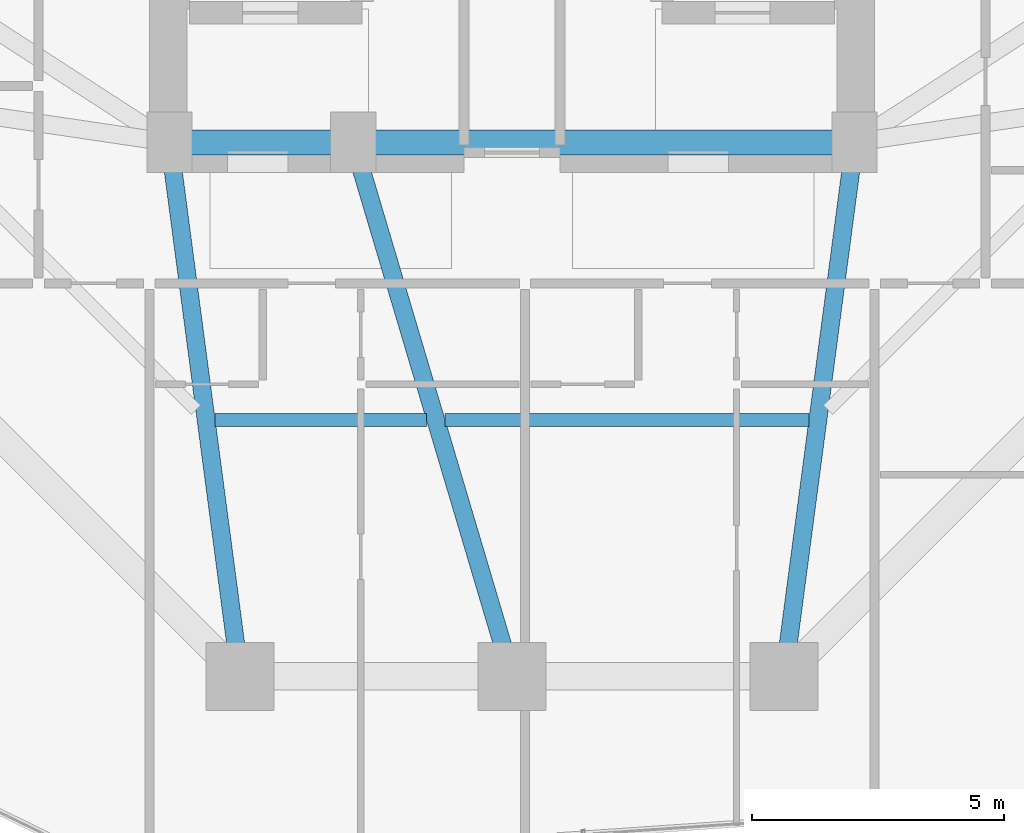
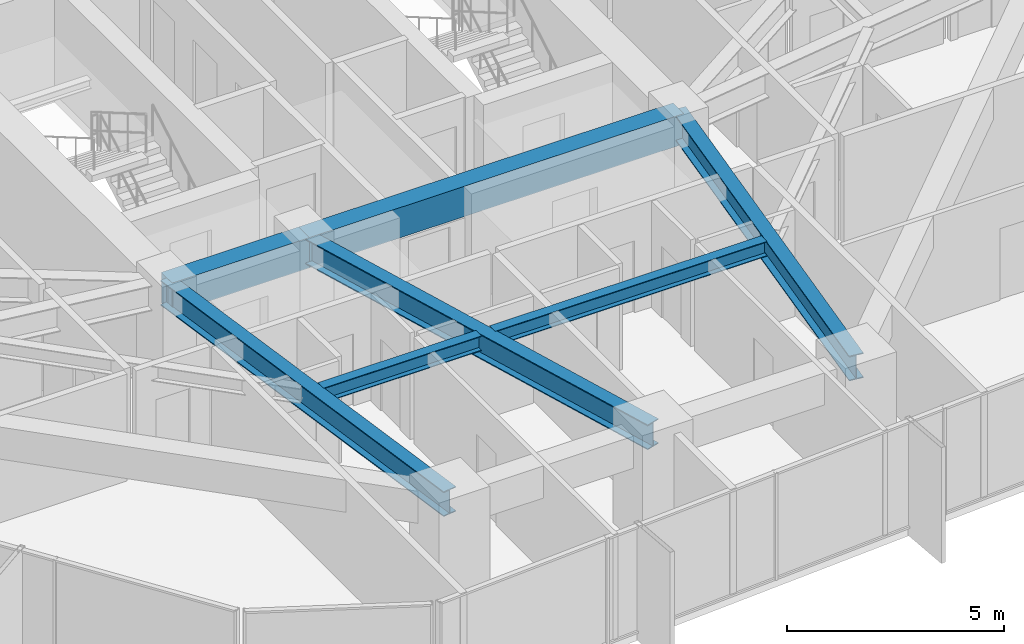
# One storey, part 9 of 37: 7 beams.
"""IFC4 building model written with IfcOpenShell, lengths in metres."""

from ifc_helpers import new_model, si_unit, direction, frame, origin, origin_2d, place, context, subcontext, project, spatial, rectangle, i_section, extrude, material, material_profile, profile_set, type_object, element, save


model = new_model("IFC4")

# Units and contexts
model_context = context("Model", 3, precision=1e-05, world=origin(), true_north=direction((0.0, 1.0)))
body_context = subcontext(model_context, "Body", "Model", "MODEL_VIEW")
ifc_project = project(units=[si_unit("LENGTHUNIT", "METRE"), si_unit("AREAUNIT", "SQUARE_METRE"), si_unit("VOLUMEUNIT", "CUBIC_METRE"), si_unit("PLANEANGLEUNIT", "RADIAN"), si_unit("MASSUNIT", "GRAM", prefix="KILO")], contexts=[model_context])

# Site, building, storey
site_placement = place(None, origin())
site = spatial("IfcSite", under=ifc_project, at=site_placement, CompositionType="ELEMENT")
building_placement = place(site_placement, origin())
building = spatial("IfcBuilding", under=site, at=building_placement, Name="Veraguas Prism Commons", CompositionType="ELEMENT")
storey_placement = place(building_placement, frame((0.0, 0.0, 37.050048828125)))
storey = spatial("IfcBuildingStorey", under=building, at=storey_placement, Name="L09", CompositionType="ELEMENT", Elevation=37.050048828125)

# Beams
ifc_material_1 = material(Name="Concrete C50/60", Category="concrete")
ifc_material_profile_1 = material_profile(ifc_material_1, rectangle(XDim=0.5, YDim=0.85009765625, at=origin_2d()), Name="RC500X850")
ifc_profile_set_1 = profile_set([ifc_material_profile_1], Name="Concrete C50/60")
beam_type_1 = type_object("IfcBeamType", Name="Core Coupling Beam RC 500x850", PredefinedType="BEAM", material=ifc_profile_set_1)
beam_1_placement = place(storey_placement, frame((17.199951171875, 17.0, 2.574951171875), z_axis=(1.0, 0.0, 0.0), x_axis=(0.0, 1.0, 0.0)))
element("IfcBeam", 1, at=beam_1_placement, inside=storey, type_object=beam_type_1, Name="Core Coupling Beam L09-CRS1", PredefinedType="BEAM", context=body_context, shape_type="SweptSolid", body=[
    extrude(rectangle(XDim=0.5, YDim=0.85009765625, at=origin_2d()), origin(), (0.0, 0.0, 1.0), 3.650146484375),
])
beam_2_placement = place(storey_placement, frame((20.85009765625, 17.0, 2.574951171875), z_axis=(1.0, 0.0, 0.0), x_axis=(0.0, 1.0, 0.0)))
element("IfcBeam", 2, at=beam_2_placement, inside=storey, type_object=beam_type_1, Name="Core Coupling Beam L09-CRS2", PredefinedType="BEAM", context=body_context, shape_type="SweptSolid", body=[
    extrude(rectangle(XDim=0.5, YDim=0.85009765625, at=origin_2d()), origin(), (0.0, 0.0, 1.0), 9.949951171875),
])
ifc_material_2 = material(Name="Steel ASTM A992 Grade 50", Category="steel")
ifc_material_profile_2 = material_profile(ifc_material_2, i_section(OverallWidth=0.260986328125, OverallDepth=0.419921875, WebThickness=0.01171875, FlangeThickness=0.019287109375, at=origin_2d()), Name="W410X114")
ifc_profile_set_2 = profile_set([ifc_material_profile_2], Name="Steel ASTM A992 Grade 50")
beam_type_2 = type_object("IfcBeamType", Name="Lower Floor Joist W410x114", PredefinedType="JOIST", material=ifc_profile_set_2)
beam_3_placement = place(storey_placement, frame((18.10546875, 11.488037109375, 2.7900390625), z_axis=(1.0, 0.0, 0.0), x_axis=(0.0, 1.0, 0.0)))
element("IfcBeam", 3, at=beam_3_placement, inside=storey, type_object=beam_type_2, Name="Composite Floor Joist L09-JS10", PredefinedType="JOIST", context=body_context, shape_type="SweptSolid", body=[
    extrude(i_section(OverallWidth=0.260986328125, OverallDepth=0.419921875, WebThickness=0.01171875, FlangeThickness=0.019287109375, at=origin_2d()), origin(), (0.0, 0.0, 1.0), 4.198974609375),
])
beam_4_placement = place(storey_placement, frame((22.671630859375, 11.488037109375, 2.7900390625), z_axis=(1.0, 0.0, 0.0), x_axis=(0.0, 1.0, 0.0)))
element("IfcBeam", 4, at=beam_4_placement, inside=storey, type_object=beam_type_2, Name="Composite Floor Joist L09-JS11", PredefinedType="JOIST", context=body_context, shape_type="SweptSolid", body=[
    extrude(i_section(OverallWidth=0.260986328125, OverallDepth=0.419921875, WebThickness=0.01171875, FlangeThickness=0.019287109375, at=origin_2d()), origin(), (0.0, 0.0, 1.0), 7.222900390625),
])
ifc_material_profile_3 = material_profile(ifc_material_2, i_section(OverallWidth=0.35595703125, OverallDepth=0.700927734375, WebThickness=0.016845703125, FlangeThickness=0.02734375, at=origin_2d()), Name="W690X240")
ifc_profile_set_3 = profile_set([ifc_material_profile_3], Name="Steel ASTM A992 Grade 50")
beam_type_3 = type_object("IfcBeamType", Name="Zone 1 Radial Girder W690x240", PredefinedType="BEAM", material=ifc_profile_set_3)
beam_5_placement = place(storey_placement, frame((18.60009765625, 6.39990234375, 2.6494140625), z_axis=(-0.130950648891, 0.991388888154, 0.0), x_axis=(-0.991388888154, -0.130950648891, 0.0)))
element("IfcBeam", 5, at=beam_5_placement, inside=storey, type_object=beam_type_3, Name="Radial Floor Girder L09-RD10", PredefinedType="BEAM", context=body_context, shape_type="SweptSolid", body=[
    extrude(i_section(OverallWidth=0.35595703125, OverallDepth=0.700927734375, WebThickness=0.016845703125, FlangeThickness=0.02734375, at=origin_2d()), origin(), (0.0, 0.0, 1.0), 10.692138671875),
])
beam_6_placement = place(storey_placement, frame((24.0, 6.39990234375, 2.6494140625), z_axis=(-0.28484745997, 0.958572858237, 0.0), x_axis=(-0.958572858237, -0.28484745997, 0.0)))
element("IfcBeam", 6, at=beam_6_placement, inside=storey, type_object=beam_type_3, Name="Radial Floor Girder L09-RD11", PredefinedType="BEAM", context=body_context, shape_type="SweptSolid", body=[
    extrude(i_section(OverallWidth=0.35595703125, OverallDepth=0.700927734375, WebThickness=0.016845703125, FlangeThickness=0.02734375, at=origin_2d()), origin(), (0.0, 0.0, 1.0), 11.05810546875),
])
beam_7_placement = place(storey_placement, frame((29.39990234375, 6.39990234375, 2.6494140625), z_axis=(0.130950648891, 0.991388888154, 0.0), x_axis=(-0.991388888154, 0.130950648891, 0.0)))
element("IfcBeam", 7, at=beam_7_placement, inside=storey, type_object=beam_type_3, Name="Radial Floor Girder L09-RD12", PredefinedType="BEAM", context=body_context, shape_type="SweptSolid", body=[
    extrude(i_section(OverallWidth=0.35595703125, OverallDepth=0.700927734375, WebThickness=0.016845703125, FlangeThickness=0.02734375, at=origin_2d()), origin(), (0.0, 0.0, 1.0), 10.692138671875),
])

save(model, "model.ifc")
